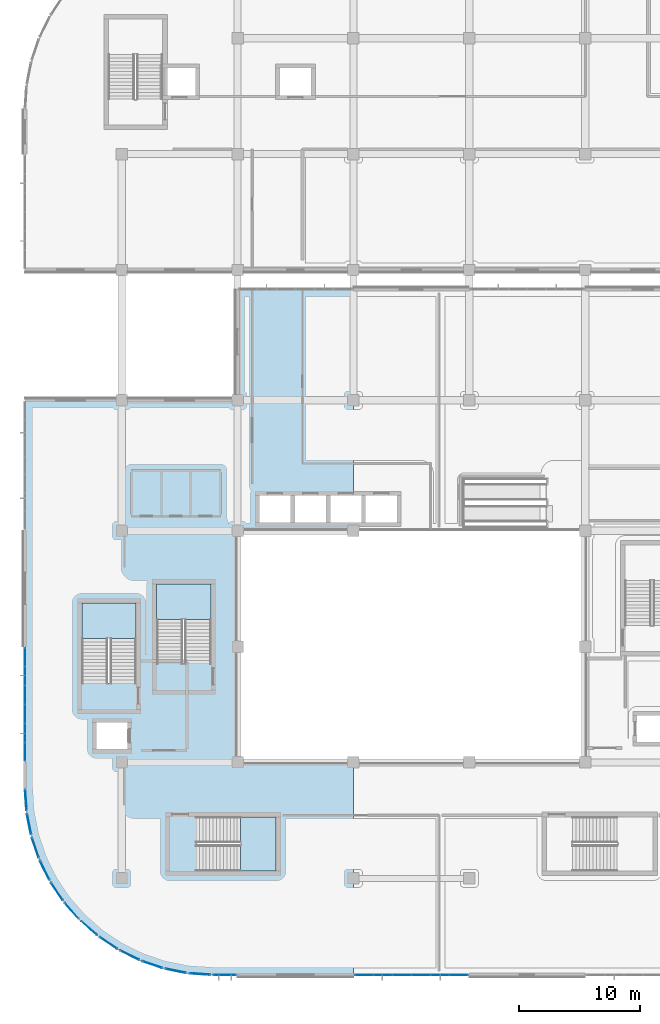
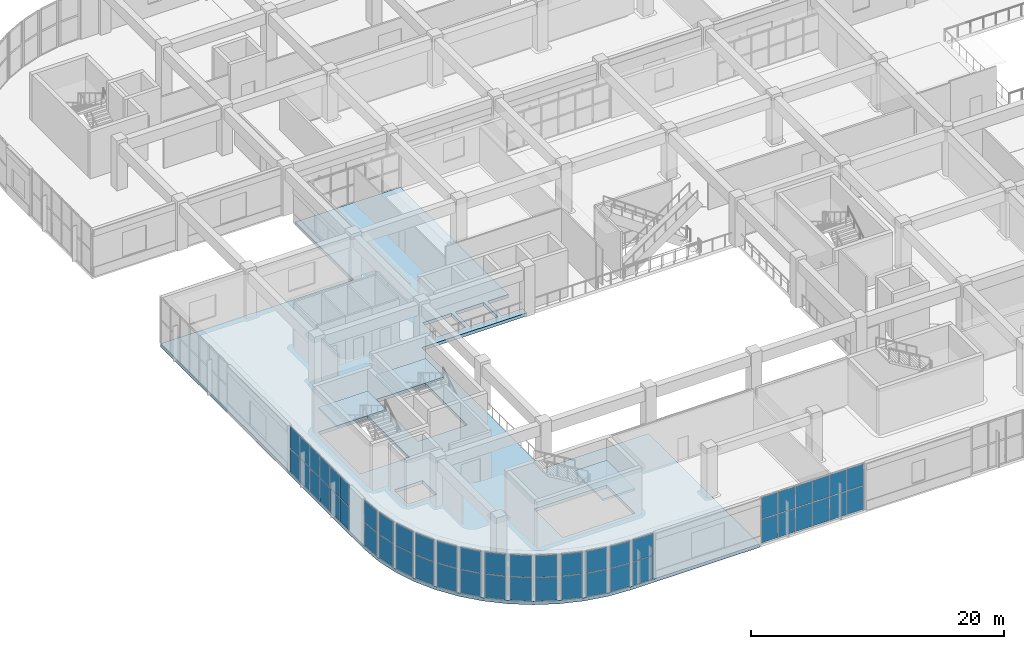
# One storey, part 43 of 86: 50 plates, 4 slabs, 18 elements without a shape of their own.
"""IFC4 building model written with IfcOpenShell, lengths in metres."""

from ifc_helpers import new_model, si_unit, direction, frame, origin, origin_2d, place, context, subcontext, project, spatial, polyline, rectangle, outline, extrude, material, layer, layer_set, type_object, element, aggregate, save


model = new_model("IFC4")

# Units and contexts
model_context = context("Model", 3, precision=1e-05, world=origin(), true_north=direction((0.0, 1.0)))
body_context = subcontext(model_context, "Body", "Model", "MODEL_VIEW")
ifc_project = project(units=[si_unit("LENGTHUNIT", "METRE"), si_unit("AREAUNIT", "SQUARE_METRE"), si_unit("VOLUMEUNIT", "CUBIC_METRE"), si_unit("PLANEANGLEUNIT", "RADIAN"), si_unit("MASSUNIT", "GRAM", prefix="KILO")], contexts=[model_context])

# Site, building, storey
site_placement = place(None, origin())
site = spatial("IfcSite", under=ifc_project, at=site_placement, CompositionType="ELEMENT")
building_placement = place(site_placement, origin())
building = spatial("IfcBuilding", under=site, at=building_placement, Name="Cendralis Terraced Arcade", CompositionType="ELEMENT")
storey_placement = place(building_placement, frame((0.0, 0.0, 5.39990234375)))
storey = spatial("IfcBuildingStorey", under=building, at=storey_placement, Name="L01", CompositionType="ELEMENT", Elevation=5.39990234375)

# Curtain wall, plates
ifc_material_1 = material(Name="Anodised aluminium EN AW-6063 T6", Category="aluminium")
ifc_layer_1 = layer(ifc_material_1, 0.1201171875, Name="CW-STORE-B")
ifc_layer_set_1 = layer_set([ifc_layer_1], Name="Anodised aluminium EN AW-6063 T6")
curtain_wall_type_1 = type_object("IfcCurtainWallType", Name="CW-STORE-B", PredefinedType="USERDEFINED", material=ifc_layer_set_1)
curtain_wall_1_placement = place(storey_placement, origin())
curtain_wall_1 = element("IfcCurtainWall", 1, at=curtain_wall_1_placement, inside=storey, type_object=curtain_wall_type_1, Name="Exterior Storefront Glazing CW-L01-0094", ObjectType="STOREFRONT GLAZING", PredefinedType="USERDEFINED")
ifc_material_2 = material(Name="Tempered solar control laminated glass", Category="glass")
ifc_layer_2 = layer(ifc_material_2, 0.02392578125, Name="CW-STORE-B-PNL")
ifc_layer_set_2 = layer_set([ifc_layer_2], Name="Tempered solar control laminated glass")
plate_type_1 = type_object("IfcPlateType", Name="CW-STORE-B-PNL", PredefinedType="CURTAIN_PANEL", material=ifc_layer_set_2)
plate_1_placement = place(storey_placement, frame((37.51123046875, 1.60009765625, 0.05517578125), z_axis=(0.0, 0.0, 1.0), x_axis=(-1.0, 0.0, 0.0)))
plate_1 = element("IfcPlate", 2, at=plate_1_placement, type_object=plate_type_1, Name="CW-S2 panel 1.1", PredefinedType="CURTAIN_PANEL", context=body_context, shape_type="SweptSolid", body=[
    extrude(rectangle(XDim=1.487548828125, YDim=0.02392578125, at=origin_2d()), origin(), (0.0, 0.0, 1.0), 2.260009765625),
])
plate_2_placement = place(storey_placement, frame((37.51123046875, 1.60009765625, 2.3701171875), z_axis=(0.0, 0.0, 1.0), x_axis=(-1.0, 0.0, 0.0)))
plate_2 = element("IfcPlate", 3, at=plate_2_placement, type_object=plate_type_1, Name="CW-S2 panel 1.2", PredefinedType="CURTAIN_PANEL", context=body_context, shape_type="SweptSolid", body=[
    extrude(rectangle(XDim=1.487548828125, YDim=0.02392578125, at=origin_2d()), origin(), (0.0, 0.0, 1.0), 2.079833984375),
])
plate_3_placement = place(storey_placement, frame((35.955078125, 1.60009765625, 0.05517578125), z_axis=(0.0, 0.0, 1.0), x_axis=(-1.0, 0.0, 0.0)))
plate_3 = element("IfcPlate", 4, at=plate_3_placement, type_object=plate_type_1, Name="CW-S2 panel 2.1", PredefinedType="CURTAIN_PANEL", context=body_context, shape_type="SweptSolid", body=[
    extrude(rectangle(XDim=1.514892578125, YDim=0.02392578125, at=origin_2d()), origin(), (0.0, 0.0, 1.0), 2.260009765625),
])
plate_4_placement = place(storey_placement, frame((35.955078125, 1.60009765625, 2.3701171875), z_axis=(0.0, 0.0, 1.0), x_axis=(-1.0, 0.0, 0.0)))
plate_4 = element("IfcPlate", 5, at=plate_4_placement, type_object=plate_type_1, Name="CW-S2 panel 2.2", PredefinedType="CURTAIN_PANEL", context=body_context, shape_type="SweptSolid", body=[
    extrude(rectangle(XDim=1.514892578125, YDim=0.02392578125, at=origin_2d()), origin(), (0.0, 0.0, 1.0), 2.079833984375),
])
plate_5_placement = place(storey_placement, frame((34.385009765625, 1.60009765625, 0.05517578125), z_axis=(0.0, 0.0, 1.0), x_axis=(-1.0, 0.0, 0.0)))
plate_5 = element("IfcPlate", 6, at=plate_5_placement, type_object=plate_type_1, Name="CW-S2 panel 3.1", PredefinedType="CURTAIN_PANEL", context=body_context, shape_type="SweptSolid", body=[
    extrude(rectangle(XDim=1.514892578125, YDim=0.02392578125, at=origin_2d()), origin(), (0.0, 0.0, 1.0), 2.260009765625),
])
plate_6_placement = place(storey_placement, frame((34.385009765625, 1.60009765625, 2.3701171875), z_axis=(0.0, 0.0, 1.0), x_axis=(-1.0, 0.0, 0.0)))
plate_6 = element("IfcPlate", 7, at=plate_6_placement, type_object=plate_type_1, Name="CW-S2 panel 3.2", PredefinedType="CURTAIN_PANEL", context=body_context, shape_type="SweptSolid", body=[
    extrude(rectangle(XDim=1.514892578125, YDim=0.02392578125, at=origin_2d()), origin(), (0.0, 0.0, 1.0), 2.079833984375),
])
plate_7_placement = place(storey_placement, frame((32.81494140625, 1.60009765625, 0.05517578125), z_axis=(0.0, 0.0, 1.0), x_axis=(-1.0, 0.0, 0.0)))
plate_7 = element("IfcPlate", 8, at=plate_7_placement, type_object=plate_type_1, Name="CW-S2 panel 4.1", PredefinedType="CURTAIN_PANEL", context=body_context, shape_type="SweptSolid", body=[
    extrude(rectangle(XDim=1.514892578125, YDim=0.02392578125, at=origin_2d()), origin(), (0.0, 0.0, 1.0), 2.260009765625),
])
plate_8_placement = place(storey_placement, frame((32.81494140625, 1.60009765625, 2.3701171875), z_axis=(0.0, 0.0, 1.0), x_axis=(-1.0, 0.0, 0.0)))
plate_8 = element("IfcPlate", 9, at=plate_8_placement, type_object=plate_type_1, Name="CW-S2 panel 4.2", PredefinedType="CURTAIN_PANEL", context=body_context, shape_type="SweptSolid", body=[
    extrude(rectangle(XDim=1.514892578125, YDim=0.02392578125, at=origin_2d()), origin(), (0.0, 0.0, 1.0), 2.079833984375),
])
plate_9_placement = place(storey_placement, frame((31.2451171875, 1.60009765625, 0.05517578125), z_axis=(0.0, 0.0, 1.0), x_axis=(-1.0, 0.0, 0.0)))
plate_9 = element("IfcPlate", 10, at=plate_9_placement, type_object=plate_type_1, Name="CW-S2 panel 5.1", PredefinedType="CURTAIN_PANEL", context=body_context, shape_type="SweptSolid", body=[
    extrude(rectangle(XDim=1.514892578125, YDim=0.02392578125, at=origin_2d()), origin(), (0.0, 0.0, 1.0), 2.260009765625),
])
plate_10_placement = place(storey_placement, frame((31.2451171875, 1.60009765625, 2.3701171875), z_axis=(0.0, 0.0, 1.0), x_axis=(-1.0, 0.0, 0.0)))
plate_10 = element("IfcPlate", 11, at=plate_10_placement, type_object=plate_type_1, Name="CW-S2 panel 5.2", PredefinedType="CURTAIN_PANEL", context=body_context, shape_type="SweptSolid", body=[
    extrude(rectangle(XDim=1.514892578125, YDim=0.02392578125, at=origin_2d()), origin(), (0.0, 0.0, 1.0), 2.079833984375),
])
plate_11_placement = place(storey_placement, frame((29.688720703125, 1.60009765625, 0.05517578125), z_axis=(0.0, 0.0, 1.0), x_axis=(-1.0, 0.0, 0.0)))
plate_11 = element("IfcPlate", 12, at=plate_11_placement, type_object=plate_type_1, Name="CW-S2 panel 6.1", PredefinedType="CURTAIN_PANEL", context=body_context, shape_type="SweptSolid", body=[
    extrude(rectangle(XDim=1.487548828125, YDim=0.02392578125, at=origin_2d()), origin(), (0.0, 0.0, 1.0), 2.260009765625),
])
plate_12_placement = place(storey_placement, frame((29.688720703125, 1.60009765625, 2.3701171875), z_axis=(0.0, 0.0, 1.0), x_axis=(-1.0, 0.0, 0.0)))
plate_12 = element("IfcPlate", 13, at=plate_12_placement, type_object=plate_type_1, Name="CW-S2 panel 6.2", PredefinedType="CURTAIN_PANEL", context=body_context, shape_type="SweptSolid", body=[
    extrude(rectangle(XDim=1.487548828125, YDim=0.02392578125, at=origin_2d()), origin(), (0.0, 0.0, 1.0), 2.079833984375),
])
aggregate(curtain_wall_1, [plate_1, plate_2, plate_3, plate_4, plate_5, plate_6, plate_7, plate_8, plate_9, plate_10, plate_11, plate_12])

curtain_wall_2_placement = place(storey_placement, origin())
curtain_wall_2 = element("IfcCurtainWall", 14, at=curtain_wall_2_placement, inside=storey, type_object=curtain_wall_type_1, Name="Exterior Storefront Glazing CW-L01-0095", ObjectType="STOREFRONT GLAZING", PredefinedType="USERDEFINED")
plate_13_placement = place(storey_placement, frame((18.14990234375, 1.60009765625, 0.05517578125), z_axis=(0.0, 0.0, 1.0), x_axis=(-1.0, 0.0, 0.0)))
plate_13 = element("IfcPlate", 15, at=plate_13_placement, type_object=plate_type_1, Name="CW-S2 panel 1.1", PredefinedType="CURTAIN_PANEL", context=body_context, shape_type="SweptSolid", body=[
    extrude(rectangle(XDim=1.81005859375, YDim=0.02392578125, at=origin_2d()), origin(), (0.0, 0.0, 1.0), 2.260009765625),
])
plate_14_placement = place(storey_placement, frame((18.14990234375, 1.60009765625, 2.3701171875), z_axis=(0.0, 0.0, 1.0), x_axis=(-1.0, 0.0, 0.0)))
plate_14 = element("IfcPlate", 16, at=plate_14_placement, type_object=plate_type_1, Name="CW-S2 panel 1.2", PredefinedType="CURTAIN_PANEL", context=body_context, shape_type="SweptSolid", body=[
    extrude(rectangle(XDim=1.81005859375, YDim=0.02392578125, at=origin_2d()), origin(), (0.0, 0.0, 1.0), 2.079833984375),
])
aggregate(curtain_wall_2, [plate_13, plate_14])

curtain_wall_3_placement = place(storey_placement, origin())
curtain_wall_3 = element("IfcCurtainWall", 17, at=curtain_wall_3_placement, inside=storey, type_object=curtain_wall_type_1, Name="Exterior Storefront Glazing CW-L01-0108", ObjectType="STOREFRONT GLAZING", PredefinedType="USERDEFINED")
plate_15_placement = place(storey_placement, frame((1.60009765625, 20.0888671875, 0.05517578125), z_axis=(0.0, 0.0, 1.0), x_axis=(0.0, 1.0, 0.0)))
plate_15 = element("IfcPlate", 18, at=plate_15_placement, type_object=plate_type_1, Name="CW-S2 panel 1.1", PredefinedType="CURTAIN_PANEL", context=body_context, shape_type="SweptSolid", body=[
    extrude(rectangle(XDim=1.487548828125, YDim=0.02392578125, at=origin_2d()), origin(), (0.0, 0.0, 1.0), 2.260009765625),
])
plate_16_placement = place(storey_placement, frame((1.60009765625, 20.0888671875, 2.3701171875), z_axis=(0.0, 0.0, 1.0), x_axis=(0.0, 1.0, 0.0)))
plate_16 = element("IfcPlate", 19, at=plate_16_placement, type_object=plate_type_1, Name="CW-S2 panel 1.2", PredefinedType="CURTAIN_PANEL", context=body_context, shape_type="SweptSolid", body=[
    extrude(rectangle(XDim=1.487548828125, YDim=0.02392578125, at=origin_2d()), origin(), (0.0, 0.0, 1.0), 2.079833984375),
])
plate_17_placement = place(storey_placement, frame((1.60009765625, 21.64501953125, 0.05517578125), z_axis=(0.0, 0.0, 1.0), x_axis=(0.0, 1.0, 0.0)))
plate_17 = element("IfcPlate", 20, at=plate_17_placement, type_object=plate_type_1, Name="CW-S2 panel 2.1", PredefinedType="CURTAIN_PANEL", context=body_context, shape_type="SweptSolid", body=[
    extrude(rectangle(XDim=1.514892578125, YDim=0.02392578125, at=origin_2d()), origin(), (0.0, 0.0, 1.0), 2.260009765625),
])
plate_18_placement = place(storey_placement, frame((1.60009765625, 21.64501953125, 2.3701171875), z_axis=(0.0, 0.0, 1.0), x_axis=(0.0, 1.0, 0.0)))
plate_18 = element("IfcPlate", 21, at=plate_18_placement, type_object=plate_type_1, Name="CW-S2 panel 2.2", PredefinedType="CURTAIN_PANEL", context=body_context, shape_type="SweptSolid", body=[
    extrude(rectangle(XDim=1.514892578125, YDim=0.02392578125, at=origin_2d()), origin(), (0.0, 0.0, 1.0), 2.079833984375),
])
plate_19_placement = place(storey_placement, frame((1.60009765625, 23.215087890625, 0.05517578125), z_axis=(0.0, 0.0, 1.0), x_axis=(0.0, 1.0, 0.0)))
plate_19 = element("IfcPlate", 22, at=plate_19_placement, type_object=plate_type_1, Name="CW-S2 panel 3.1", PredefinedType="CURTAIN_PANEL", context=body_context, shape_type="SweptSolid", body=[
    extrude(rectangle(XDim=1.514892578125, YDim=0.02392578125, at=origin_2d()), origin(), (0.0, 0.0, 1.0), 2.260009765625),
])
plate_20_placement = place(storey_placement, frame((1.60009765625, 23.215087890625, 2.3701171875), z_axis=(0.0, 0.0, 1.0), x_axis=(0.0, 1.0, 0.0)))
plate_20 = element("IfcPlate", 23, at=plate_20_placement, type_object=plate_type_1, Name="CW-S2 panel 3.2", PredefinedType="CURTAIN_PANEL", context=body_context, shape_type="SweptSolid", body=[
    extrude(rectangle(XDim=1.514892578125, YDim=0.02392578125, at=origin_2d()), origin(), (0.0, 0.0, 1.0), 2.079833984375),
])
plate_21_placement = place(storey_placement, frame((1.60009765625, 24.784912109375, 0.05517578125), z_axis=(0.0, 0.0, 1.0), x_axis=(0.0, 1.0, 0.0)))
plate_21 = element("IfcPlate", 24, at=plate_21_placement, type_object=plate_type_1, Name="CW-S2 panel 4.1", PredefinedType="CURTAIN_PANEL", context=body_context, shape_type="SweptSolid", body=[
    extrude(rectangle(XDim=1.514892578125, YDim=0.02392578125, at=origin_2d()), origin(), (0.0, 0.0, 1.0), 2.260009765625),
])
plate_22_placement = place(storey_placement, frame((1.60009765625, 24.784912109375, 2.3701171875), z_axis=(0.0, 0.0, 1.0), x_axis=(0.0, 1.0, 0.0)))
plate_22 = element("IfcPlate", 25, at=plate_22_placement, type_object=plate_type_1, Name="CW-S2 panel 4.2", PredefinedType="CURTAIN_PANEL", context=body_context, shape_type="SweptSolid", body=[
    extrude(rectangle(XDim=1.514892578125, YDim=0.02392578125, at=origin_2d()), origin(), (0.0, 0.0, 1.0), 2.079833984375),
])
plate_23_placement = place(storey_placement, frame((1.60009765625, 26.35498046875, 0.05517578125), z_axis=(0.0, 0.0, 1.0), x_axis=(0.0, 1.0, 0.0)))
plate_23 = element("IfcPlate", 26, at=plate_23_placement, type_object=plate_type_1, Name="CW-S2 panel 5.1", PredefinedType="CURTAIN_PANEL", context=body_context, shape_type="SweptSolid", body=[
    extrude(rectangle(XDim=1.514892578125, YDim=0.02392578125, at=origin_2d()), origin(), (0.0, 0.0, 1.0), 2.260009765625),
])
plate_24_placement = place(storey_placement, frame((1.60009765625, 26.35498046875, 2.3701171875), z_axis=(0.0, 0.0, 1.0), x_axis=(0.0, 1.0, 0.0)))
plate_24 = element("IfcPlate", 27, at=plate_24_placement, type_object=plate_type_1, Name="CW-S2 panel 5.2", PredefinedType="CURTAIN_PANEL", context=body_context, shape_type="SweptSolid", body=[
    extrude(rectangle(XDim=1.514892578125, YDim=0.02392578125, at=origin_2d()), origin(), (0.0, 0.0, 1.0), 2.079833984375),
])
plate_25_placement = place(storey_placement, frame((1.60009765625, 27.9111328125, 0.05517578125), z_axis=(0.0, 0.0, 1.0), x_axis=(0.0, 1.0, 0.0)))
plate_25 = element("IfcPlate", 28, at=plate_25_placement, type_object=plate_type_1, Name="CW-S2 panel 6.1", PredefinedType="CURTAIN_PANEL", context=body_context, shape_type="SweptSolid", body=[
    extrude(rectangle(XDim=1.487548828125, YDim=0.02392578125, at=origin_2d()), origin(), (0.0, 0.0, 1.0), 2.260009765625),
])
plate_26_placement = place(storey_placement, frame((1.60009765625, 27.9111328125, 2.3701171875), z_axis=(0.0, 0.0, 1.0), x_axis=(0.0, 1.0, 0.0)))
plate_26 = element("IfcPlate", 29, at=plate_26_placement, type_object=plate_type_1, Name="CW-S2 panel 6.2", PredefinedType="CURTAIN_PANEL", context=body_context, shape_type="SweptSolid", body=[
    extrude(rectangle(XDim=1.487548828125, YDim=0.02392578125, at=origin_2d()), origin(), (0.0, 0.0, 1.0), 2.079833984375),
])
aggregate(curtain_wall_3, [plate_15, plate_16, plate_17, plate_18, plate_19, plate_20, plate_21, plate_22, plate_23, plate_24, plate_25, plate_26])

ifc_layer_3 = layer(ifc_material_1, 0.179931640625, Name="CW-UNIT-A")
ifc_layer_set_3 = layer_set([ifc_layer_3], Name="Anodised aluminium EN AW-6063 T6")
curtain_wall_type_2 = type_object("IfcCurtainWallType", Name="CW-UNIT-A", PredefinedType="USERDEFINED", material=ifc_layer_set_3)
curtain_wall_4_placement = place(storey_placement, origin())
curtain_wall_4 = element("IfcCurtainWall", 30, at=curtain_wall_4_placement, inside=storey, type_object=curtain_wall_type_2, Name="Exterior Unitised Facade CW-L01-0096", ObjectType="UNITISED FACADE", PredefinedType="USERDEFINED")
ifc_layer_4 = layer(ifc_material_2, 0.035888671875, Name="CW-UNIT-A-PNL")
ifc_layer_set_4 = layer_set([ifc_layer_4], Name="Tempered solar control laminated glass")
plate_type_2 = type_object("IfcPlateType", Name="CW-UNIT-A-PNL", PredefinedType="CURTAIN_PANEL", material=ifc_layer_set_4)
plate_27_placement = place(storey_placement, frame((16.08837890625, 1.666259765625, 0.065185546875), z_axis=(0.0, 0.0, 1.0), x_axis=(-0.997860192175, 0.065383766124, 0.0)))
plate_27 = element("IfcPlate", 31, at=plate_27_placement, type_object=plate_type_2, Name="CW-U1 panel 1.1", PredefinedType="CURTAIN_PANEL", context=body_context, shape_type="SweptSolid", body=[
    extrude(rectangle(XDim=1.717529296875, YDim=0.035888671875, at=origin_2d()), origin(), (0.0, 0.0, 1.0), 2.2451171875),
])
plate_28_placement = place(storey_placement, frame((16.08837890625, 1.666259765625, 2.375244140625), z_axis=(0.0, 0.0, 1.0), x_axis=(-0.997860192175, 0.065383766124, 0.0)))
plate_28 = element("IfcPlate", 32, at=plate_28_placement, type_object=plate_type_2, Name="CW-U1 panel 1.2", PredefinedType="CURTAIN_PANEL", context=body_context, shape_type="SweptSolid", body=[
    extrude(rectangle(XDim=1.717529296875, YDim=0.035888671875, at=origin_2d()), origin(), (0.0, 0.0, 1.0), 2.06494140625),
])
aggregate(curtain_wall_4, [plate_27, plate_28])

curtain_wall_5_placement = place(storey_placement, origin())
curtain_wall_5 = element("IfcCurtainWall", 33, at=curtain_wall_5_placement, inside=storey, type_object=curtain_wall_type_2, Name="Exterior Unitised Facade CW-L01-0097", ObjectType="UNITISED FACADE", PredefinedType="USERDEFINED")
plate_29_placement = place(storey_placement, frame((14.08251953125, 1.930419921875, 0.065185546875), z_axis=(0.0, 0.0, 1.0), x_axis=(-0.980796601395, 0.195033398913, 0.0)))
plate_29 = element("IfcPlate", 34, at=plate_29_placement, type_object=plate_type_2, Name="CW-U1 panel 1.1", PredefinedType="CURTAIN_PANEL", context=body_context, shape_type="SweptSolid", body=[
    extrude(rectangle(XDim=1.71728515625, YDim=0.035888671875, at=origin_2d()), origin(), (0.0, 0.0, 1.0), 2.2451171875),
])
plate_30_placement = place(storey_placement, frame((14.08251953125, 1.930419921875, 2.375244140625), z_axis=(0.0, 0.0, 1.0), x_axis=(-0.980796601395, 0.195033398913, 0.0)))
plate_30 = element("IfcPlate", 35, at=plate_30_placement, type_object=plate_type_2, Name="CW-U1 panel 1.2", PredefinedType="CURTAIN_PANEL", context=body_context, shape_type="SweptSolid", body=[
    extrude(rectangle(XDim=1.71728515625, YDim=0.035888671875, at=origin_2d()), origin(), (0.0, 0.0, 1.0), 2.06494140625),
])
aggregate(curtain_wall_5, [plate_29, plate_30])

curtain_wall_6_placement = place(storey_placement, origin())
curtain_wall_6 = element("IfcCurtainWall", 36, at=curtain_wall_6_placement, inside=storey, type_object=curtain_wall_type_2, Name="Exterior Unitised Facade CW-L01-0098", ObjectType="UNITISED FACADE", PredefinedType="USERDEFINED")
plate_31_placement = place(storey_placement, frame((12.12841796875, 2.4541015625, 0.065185546875), z_axis=(0.0, 0.0, 1.0), x_axis=(-0.946909571674, 0.32150002033, 0.0)))
plate_31 = element("IfcPlate", 37, at=plate_31_placement, type_object=plate_type_2, Name="CW-U1 panel 1.1", PredefinedType="CURTAIN_PANEL", context=body_context, shape_type="SweptSolid", body=[
    extrude(rectangle(XDim=1.717529296875, YDim=0.035888671875, at=origin_2d()), origin(), (0.0, 0.0, 1.0), 2.2451171875),
])
plate_32_placement = place(storey_placement, frame((12.12841796875, 2.4541015625, 2.375244140625), z_axis=(0.0, 0.0, 1.0), x_axis=(-0.946909571674, 0.32150002033, 0.0)))
plate_32 = element("IfcPlate", 38, at=plate_32_placement, type_object=plate_type_2, Name="CW-U1 panel 1.2", PredefinedType="CURTAIN_PANEL", context=body_context, shape_type="SweptSolid", body=[
    extrude(rectangle(XDim=1.717529296875, YDim=0.035888671875, at=origin_2d()), origin(), (0.0, 0.0, 1.0), 2.06494140625),
])
aggregate(curtain_wall_6, [plate_31, plate_32])

curtain_wall_7_placement = place(storey_placement, origin())
curtain_wall_7 = element("IfcCurtainWall", 39, at=curtain_wall_7_placement, inside=storey, type_object=curtain_wall_type_2, Name="Exterior Unitised Facade CW-L01-0099", ObjectType="UNITISED FACADE", PredefinedType="USERDEFINED")
plate_33_placement = place(storey_placement, frame((10.25927734375, 3.228271484375, 0.065185546875), z_axis=(0.0, 0.0, 1.0), x_axis=(-0.896881752867, 0.442270416572, 0.0)))
plate_33 = element("IfcPlate", 40, at=plate_33_placement, type_object=plate_type_2, Name="CW-U1 panel 1.1", PredefinedType="CURTAIN_PANEL", context=body_context, shape_type="SweptSolid", body=[
    extrude(rectangle(XDim=1.717529296875, YDim=0.035888671875, at=origin_2d()), origin(), (0.0, 0.0, 1.0), 2.2451171875),
])
plate_34_placement = place(storey_placement, frame((10.25927734375, 3.228271484375, 2.375244140625), z_axis=(0.0, 0.0, 1.0), x_axis=(-0.896881752867, 0.442270416572, 0.0)))
plate_34 = element("IfcPlate", 41, at=plate_34_placement, type_object=plate_type_2, Name="CW-U1 panel 1.2", PredefinedType="CURTAIN_PANEL", context=body_context, shape_type="SweptSolid", body=[
    extrude(rectangle(XDim=1.717529296875, YDim=0.035888671875, at=origin_2d()), origin(), (0.0, 0.0, 1.0), 2.06494140625),
])
aggregate(curtain_wall_7, [plate_33, plate_34])

curtain_wall_8_placement = place(storey_placement, origin())
curtain_wall_8 = element("IfcCurtainWall", 42, at=curtain_wall_8_placement, inside=storey, type_object=curtain_wall_type_2, Name="Exterior Unitised Facade CW-L01-0100", ObjectType="UNITISED FACADE", PredefinedType="USERDEFINED")
plate_35_placement = place(storey_placement, frame((8.507080078125, 4.23974609375, 0.065185546875), z_axis=(0.0, 0.0, 1.0), x_axis=(-0.831483619587, 0.555549269065, 0.0)))
plate_35 = element("IfcPlate", 43, at=plate_35_placement, type_object=plate_type_2, Name="CW-U1 panel 1.1", PredefinedType="CURTAIN_PANEL", context=body_context, shape_type="SweptSolid", body=[
    extrude(rectangle(XDim=1.717529296875, YDim=0.035888671875, at=origin_2d()), origin(), (0.0, 0.0, 1.0), 2.2451171875),
])
plate_36_placement = place(storey_placement, frame((8.507080078125, 4.23974609375, 2.375244140625), z_axis=(0.0, 0.0, 1.0), x_axis=(-0.831483619587, 0.555549269065, 0.0)))
plate_36 = element("IfcPlate", 44, at=plate_36_placement, type_object=plate_type_2, Name="CW-U1 panel 1.2", PredefinedType="CURTAIN_PANEL", context=body_context, shape_type="SweptSolid", body=[
    extrude(rectangle(XDim=1.717529296875, YDim=0.035888671875, at=origin_2d()), origin(), (0.0, 0.0, 1.0), 2.06494140625),
])
aggregate(curtain_wall_8, [plate_35, plate_36])

curtain_wall_9_placement = place(storey_placement, origin())
curtain_wall_9 = element("IfcCurtainWall", 45, at=curtain_wall_9_placement, inside=storey, type_object=curtain_wall_type_2, Name="Exterior Unitised Facade CW-L01-0101", ObjectType="UNITISED FACADE", PredefinedType="USERDEFINED")
plate_37_placement = place(storey_placement, frame((6.902099609375, 5.471435546875, 0.065185546875), z_axis=(0.0, 0.0, 1.0), x_axis=(-0.751818424075, 0.659370197402, 0.0)))
plate_37 = element("IfcPlate", 46, at=plate_37_placement, type_object=plate_type_2, Name="CW-U1 panel 1.1", PredefinedType="CURTAIN_PANEL", context=body_context, shape_type="SweptSolid", body=[
    extrude(rectangle(XDim=1.717529296875, YDim=0.035888671875, at=origin_2d()), origin(), (0.0, 0.0, 1.0), 2.2451171875),
])
plate_38_placement = place(storey_placement, frame((6.902099609375, 5.471435546875, 2.375244140625), z_axis=(0.0, 0.0, 1.0), x_axis=(-0.751818424075, 0.659370197402, 0.0)))
plate_38 = element("IfcPlate", 47, at=plate_38_placement, type_object=plate_type_2, Name="CW-U1 panel 1.2", PredefinedType="CURTAIN_PANEL", context=body_context, shape_type="SweptSolid", body=[
    extrude(rectangle(XDim=1.717529296875, YDim=0.035888671875, at=origin_2d()), origin(), (0.0, 0.0, 1.0), 2.06494140625),
])
aggregate(curtain_wall_9, [plate_37, plate_38])

curtain_wall_10_placement = place(storey_placement, origin())
curtain_wall_10 = element("IfcCurtainWall", 48, at=curtain_wall_10_placement, inside=storey, type_object=curtain_wall_type_2, Name="Exterior Unitised Facade CW-L01-0102", ObjectType="UNITISED FACADE", PredefinedType="USERDEFINED")
plate_39_placement = place(storey_placement, frame((5.471435546875, 6.902099609375, 0.065185546875), z_axis=(0.0, 0.0, 1.0), x_axis=(-0.659370197402, 0.751818424075, 0.0)))
plate_39 = element("IfcPlate", 49, at=plate_39_placement, type_object=plate_type_2, Name="CW-U1 panel 1.1", PredefinedType="CURTAIN_PANEL", context=body_context, shape_type="SweptSolid", body=[
    extrude(rectangle(XDim=1.717529296875, YDim=0.035888671875, at=origin_2d()), origin(), (0.0, 0.0, 1.0), 2.2451171875),
])
plate_40_placement = place(storey_placement, frame((5.471435546875, 6.902099609375, 2.375244140625), z_axis=(0.0, 0.0, 1.0), x_axis=(-0.659370197402, 0.751818424075, 0.0)))
plate_40 = element("IfcPlate", 50, at=plate_40_placement, type_object=plate_type_2, Name="CW-U1 panel 1.2", PredefinedType="CURTAIN_PANEL", context=body_context, shape_type="SweptSolid", body=[
    extrude(rectangle(XDim=1.717529296875, YDim=0.035888671875, at=origin_2d()), origin(), (0.0, 0.0, 1.0), 2.06494140625),
])
aggregate(curtain_wall_10, [plate_39, plate_40])

curtain_wall_11_placement = place(storey_placement, origin())
curtain_wall_11 = element("IfcCurtainWall", 51, at=curtain_wall_11_placement, inside=storey, type_object=curtain_wall_type_2, Name="Exterior Unitised Facade CW-L01-0103", ObjectType="UNITISED FACADE", PredefinedType="USERDEFINED")
plate_41_placement = place(storey_placement, frame((4.23974609375, 8.507080078125, 0.065185546875), z_axis=(0.0, 0.0, 1.0), x_axis=(-0.555549269065, 0.831483619587, 0.0)))
plate_41 = element("IfcPlate", 52, at=plate_41_placement, type_object=plate_type_2, Name="CW-U1 panel 1.1", PredefinedType="CURTAIN_PANEL", context=body_context, shape_type="SweptSolid", body=[
    extrude(rectangle(XDim=1.717529296875, YDim=0.035888671875, at=origin_2d()), origin(), (0.0, 0.0, 1.0), 2.2451171875),
])
plate_42_placement = place(storey_placement, frame((4.23974609375, 8.507080078125, 2.375244140625), z_axis=(0.0, 0.0, 1.0), x_axis=(-0.555549269065, 0.831483619587, 0.0)))
plate_42 = element("IfcPlate", 53, at=plate_42_placement, type_object=plate_type_2, Name="CW-U1 panel 1.2", PredefinedType="CURTAIN_PANEL", context=body_context, shape_type="SweptSolid", body=[
    extrude(rectangle(XDim=1.717529296875, YDim=0.035888671875, at=origin_2d()), origin(), (0.0, 0.0, 1.0), 2.06494140625),
])
aggregate(curtain_wall_11, [plate_41, plate_42])

curtain_wall_12_placement = place(storey_placement, origin())
curtain_wall_12 = element("IfcCurtainWall", 54, at=curtain_wall_12_placement, inside=storey, type_object=curtain_wall_type_2, Name="Exterior Unitised Facade CW-L01-0104", ObjectType="UNITISED FACADE", PredefinedType="USERDEFINED")
plate_43_placement = place(storey_placement, frame((3.228271484375, 10.25927734375, 0.065185546875), z_axis=(0.0, 0.0, 1.0), x_axis=(-0.442270416572, 0.896881752867, 0.0)))
plate_43 = element("IfcPlate", 55, at=plate_43_placement, type_object=plate_type_2, Name="CW-U1 panel 1.1", PredefinedType="CURTAIN_PANEL", context=body_context, shape_type="SweptSolid", body=[
    extrude(rectangle(XDim=1.717529296875, YDim=0.035888671875, at=origin_2d()), origin(), (0.0, 0.0, 1.0), 2.2451171875),
])
plate_44_placement = place(storey_placement, frame((3.228271484375, 10.25927734375, 2.375244140625), z_axis=(0.0, 0.0, 1.0), x_axis=(-0.442270416572, 0.896881752867, 0.0)))
plate_44 = element("IfcPlate", 56, at=plate_44_placement, type_object=plate_type_2, Name="CW-U1 panel 1.2", PredefinedType="CURTAIN_PANEL", context=body_context, shape_type="SweptSolid", body=[
    extrude(rectangle(XDim=1.717529296875, YDim=0.035888671875, at=origin_2d()), origin(), (0.0, 0.0, 1.0), 2.06494140625),
])
aggregate(curtain_wall_12, [plate_43, plate_44])

curtain_wall_13_placement = place(storey_placement, origin())
curtain_wall_13 = element("IfcCurtainWall", 57, at=curtain_wall_13_placement, inside=storey, type_object=curtain_wall_type_2, Name="Exterior Unitised Facade CW-L01-0105", ObjectType="UNITISED FACADE", PredefinedType="USERDEFINED")
plate_45_placement = place(storey_placement, frame((2.4541015625, 12.12841796875, 0.065185546875), z_axis=(0.0, 0.0, 1.0), x_axis=(-0.32150002033, 0.946909571674, 0.0)))
plate_45 = element("IfcPlate", 58, at=plate_45_placement, type_object=plate_type_2, Name="CW-U1 panel 1.1", PredefinedType="CURTAIN_PANEL", context=body_context, shape_type="SweptSolid", body=[
    extrude(rectangle(XDim=1.717529296875, YDim=0.035888671875, at=origin_2d()), origin(), (0.0, 0.0, 1.0), 2.2451171875),
])
plate_46_placement = place(storey_placement, frame((2.4541015625, 12.12841796875, 2.375244140625), z_axis=(0.0, 0.0, 1.0), x_axis=(-0.32150002033, 0.946909571674, 0.0)))
plate_46 = element("IfcPlate", 59, at=plate_46_placement, type_object=plate_type_2, Name="CW-U1 panel 1.2", PredefinedType="CURTAIN_PANEL", context=body_context, shape_type="SweptSolid", body=[
    extrude(rectangle(XDim=1.717529296875, YDim=0.035888671875, at=origin_2d()), origin(), (0.0, 0.0, 1.0), 2.06494140625),
])
aggregate(curtain_wall_13, [plate_45, plate_46])

curtain_wall_14_placement = place(storey_placement, origin())
curtain_wall_14 = element("IfcCurtainWall", 60, at=curtain_wall_14_placement, inside=storey, type_object=curtain_wall_type_2, Name="Exterior Unitised Facade CW-L01-0106", ObjectType="UNITISED FACADE", PredefinedType="USERDEFINED")
plate_47_placement = place(storey_placement, frame((1.930419921875, 14.08251953125, 0.065185546875), z_axis=(0.0, 0.0, 1.0), x_axis=(-0.195033398913, 0.980796601395, 0.0)))
plate_47 = element("IfcPlate", 61, at=plate_47_placement, type_object=plate_type_2, Name="CW-U1 panel 1.1", PredefinedType="CURTAIN_PANEL", context=body_context, shape_type="SweptSolid", body=[
    extrude(rectangle(XDim=1.71728515625, YDim=0.035888671875, at=origin_2d()), origin(), (0.0, 0.0, 1.0), 2.2451171875),
])
plate_48_placement = place(storey_placement, frame((1.930419921875, 14.08251953125, 2.375244140625), z_axis=(0.0, 0.0, 1.0), x_axis=(-0.195033398913, 0.980796601395, 0.0)))
plate_48 = element("IfcPlate", 62, at=plate_48_placement, type_object=plate_type_2, Name="CW-U1 panel 1.2", PredefinedType="CURTAIN_PANEL", context=body_context, shape_type="SweptSolid", body=[
    extrude(rectangle(XDim=1.71728515625, YDim=0.035888671875, at=origin_2d()), origin(), (0.0, 0.0, 1.0), 2.06494140625),
])
aggregate(curtain_wall_14, [plate_47, plate_48])

curtain_wall_15_placement = place(storey_placement, origin())
curtain_wall_15 = element("IfcCurtainWall", 63, at=curtain_wall_15_placement, inside=storey, type_object=curtain_wall_type_2, Name="Exterior Unitised Facade CW-L01-0107", ObjectType="UNITISED FACADE", PredefinedType="USERDEFINED")
plate_49_placement = place(storey_placement, frame((1.666259765625, 16.08837890625, 0.065185546875), z_axis=(0.0, 0.0, 1.0), x_axis=(-0.065383766124, 0.997860192175, 0.0)))
plate_49 = element("IfcPlate", 64, at=plate_49_placement, type_object=plate_type_2, Name="CW-U1 panel 1.1", PredefinedType="CURTAIN_PANEL", context=body_context, shape_type="SweptSolid", body=[
    extrude(rectangle(XDim=1.717529296875, YDim=0.035888671875, at=origin_2d()), origin(), (0.0, 0.0, 1.0), 2.2451171875),
])
plate_50_placement = place(storey_placement, frame((1.666259765625, 16.08837890625, 2.375244140625), z_axis=(0.0, 0.0, 1.0), x_axis=(-0.065383766124, 0.997860192175, 0.0)))
plate_50 = element("IfcPlate", 65, at=plate_50_placement, type_object=plate_type_2, Name="CW-U1 panel 1.2", PredefinedType="CURTAIN_PANEL", context=body_context, shape_type="SweptSolid", body=[
    extrude(rectangle(XDim=1.717529296875, YDim=0.035888671875, at=origin_2d()), origin(), (0.0, 0.0, 1.0), 2.06494140625),
])
aggregate(curtain_wall_15, [plate_49, plate_50])

# Slab
ifc_material_3 = material(Name="Concrete f'c 35 MPa", Category="concrete")
ifc_layer_5 = layer(ifc_material_3, 0.31005859375, Name="SLB-L01-310")
ifc_layer_set_5 = layer_set([ifc_layer_5], Name="Concrete f'c 35 MPa")
slab_type_1 = type_object("IfcSlabType", Name="SLB-L01-310", PredefinedType="FLOOR", material=ifc_layer_set_5)
slab_1_placement = place(storey_placement, frame((0.0, 0.0, -0.309814453125)))
element("IfcSlab", 66, at=slab_1_placement, inside=storey, type_object=slab_type_1, Name="Reinforced Concrete Floor Slab SLB-L01-V1-W1-1", PredefinedType="FLOOR", context=body_context, shape_type="SweptSolid", body=[
    extrude(outline(polyline([(19.199951171875, 49.199951171875), (19.199951171875, 58.39990234375), (28.800048828125, 58.39990234375), (28.800048828125, 41.324951171875), (26.8798828125, 41.324951171875), (26.8798828125, 39.074951171875), (28.800048828125, 39.074951171875), (28.800048828125, 38.39990234375), (19.199951171875, 38.39990234375), (19.199951171875, 19.199951171875), (28.800048828125, 19.199951171875), (28.800048828125, 1.60009765625), (17.10009765625, 1.60009765625), (15.076904296875, 1.732666015625), (13.08837890625, 2.128173828125), (11.16845703125, 2.77978515625), (9.35009765625, 3.676513671875), (7.664306640625, 4.802978515625), (6.139892578125, 6.139892578125), (4.802978515625, 7.664306640625), (3.676513671875, 9.35009765625), (2.77978515625, 11.16845703125), (2.128173828125, 13.08837890625), (1.732666015625, 15.076904296875), (1.60009765625, 17.10009765625), (1.60009765625, 49.199951171875), (19.199951171875, 49.199951171875)]), holes=[polyline([(22.39990234375, 14.699951171875), (15.780029296875, 14.699951171875), (15.780029296875, 10.199951171875), (22.39990234375, 10.199951171875), (22.39990234375, 14.699951171875)]), polyline([(10.10009765625, 20.300048828125), (10.10009765625, 22.5), (7.5, 22.5), (7.5, 20.300048828125), (10.10009765625, 20.300048828125)]), polyline([(10.800048828125, 25.780029296875), (10.800048828125, 32.39990234375), (6.300048828125, 32.39990234375), (6.300048828125, 25.780029296875), (10.800048828125, 25.780029296875)]), polyline([(17.0, 27.3798828125), (17.0, 34.0), (12.5, 34.0), (12.5, 27.3798828125), (17.0, 27.3798828125)]), polyline([(23.60009765625, 41.324951171875), (21.0, 41.324951171875), (21.0, 39.074951171875), (23.60009765625, 39.074951171875), (23.60009765625, 41.324951171875)]), polyline([(26.5400390625, 39.074951171875), (26.5400390625, 41.324951171875), (23.93994140625, 41.324951171875), (23.93994140625, 39.074951171875), (26.5400390625, 39.074951171875)])]), origin(), (0.0, 0.0, 1.0), 0.309814453125),
])

# Stair, slab
stair_type = type_object("IfcStairType", Name="STR-W215-H480", PredefinedType="HALF_TURN_STAIR", material=ifc_material_3)
stair_1_placement = place(storey_placement, origin())
stair_1 = element("IfcStair", 67, at=stair_1_placement, inside=storey, type_object=stair_type, Name="L01 Protected Exit Stair ST-01", PredefinedType="HALF_TURN_STAIR")
ifc_layer_6 = layer(ifc_material_3, 0.199951171875, Name="SLB-STAIR-LND-200")
ifc_layer_set_6 = layer_set([ifc_layer_6], Name="Concrete f'c 35 MPa")
slab_type_2 = type_object("IfcSlabType", Name="SLB-STAIR-LND-200", PredefinedType="LANDING", material=ifc_layer_set_6)
slab_2_placement = place(storey_placement, frame((0.0, 0.0, 2.2001953125)))
slab_2 = element("IfcSlab", 68, at=slab_2_placement, type_object=slab_type_2, Name="ST-01 landing 1", PredefinedType="LANDING", context=body_context, shape_type="SweptSolid", body=[
    extrude(outline(polyline([(10.800048828125, 29.455078125), (10.800048828125, 32.39990234375), (6.300048828125, 32.39990234375), (6.300048828125, 29.455078125), (10.800048828125, 29.455078125)])), origin(), (0.0, 0.0, 1.0), 0.199951171875),
])
aggregate(stair_1, [slab_2])

stair_2_placement = place(storey_placement, origin())
stair_2 = element("IfcStair", 69, at=stair_2_placement, inside=storey, type_object=stair_type, Name="L01 Protected Exit Stair ST-02", PredefinedType="HALF_TURN_STAIR")
slab_3_placement = place(storey_placement, frame((0.0, 0.0, 2.2001953125)))
slab_3 = element("IfcSlab", 70, at=slab_3_placement, type_object=slab_type_2, Name="ST-02 landing 1", PredefinedType="LANDING", context=body_context, shape_type="SweptSolid", body=[
    extrude(outline(polyline([(19.455078125, 10.199951171875), (22.39990234375, 10.199951171875), (22.39990234375, 14.699951171875), (19.455078125, 14.699951171875), (19.455078125, 10.199951171875)])), origin(), (0.0, 0.0, 1.0), 0.199951171875),
])
aggregate(stair_2, [slab_3])

stair_3_placement = place(storey_placement, origin())
stair_3 = element("IfcStair", 71, at=stair_3_placement, inside=storey, type_object=stair_type, Name="L01 Protected Exit Stair ST-05", PredefinedType="HALF_TURN_STAIR")
slab_4_placement = place(storey_placement, frame((0.0, 0.0, 2.2001953125)))
slab_4 = element("IfcSlab", 72, at=slab_4_placement, type_object=slab_type_2, Name="ST-05 landing 1", PredefinedType="LANDING", context=body_context, shape_type="SweptSolid", body=[
    extrude(outline(polyline([(17.0, 31.054931640625), (17.0, 34.0), (12.5, 34.0), (12.5, 31.054931640625), (17.0, 31.054931640625)])), origin(), (0.0, 0.0, 1.0), 0.199951171875),
])
aggregate(stair_3, [slab_4])

save(model, "model.ifc")
